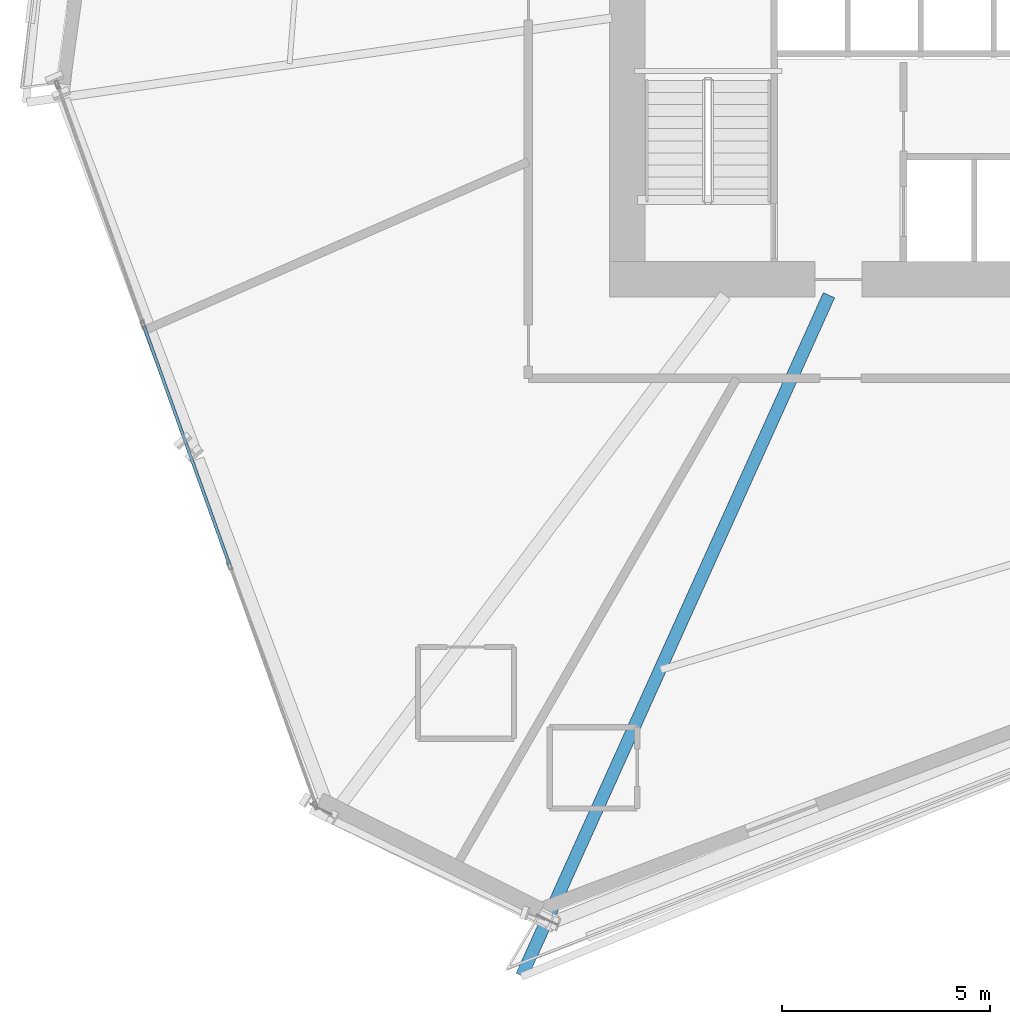
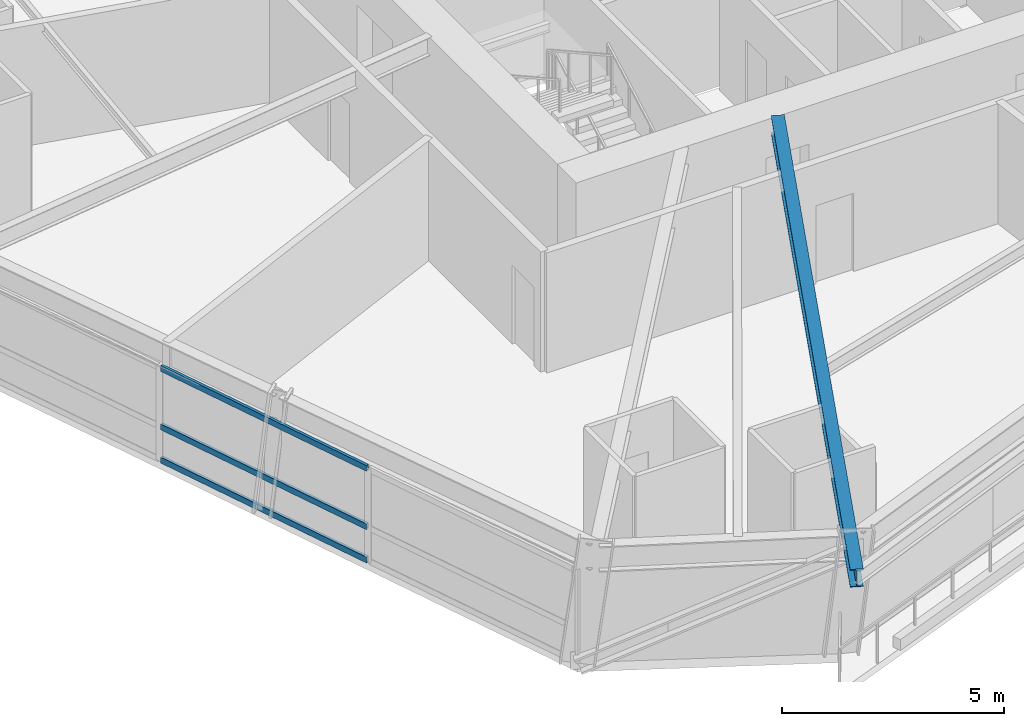
# One storey, part 3 of 24: 3 members, 1 beam, 1 element without a shape of its own.
"""IFC4 building model written with IfcOpenShell, lengths in metres."""

from ifc_helpers import new_model, si_unit, direction, frame, origin, origin_2d, place, context, subcontext, project, spatial, hollow_rectangle, i_section, extrude, source, transform, mapped, material, material_profile, profile_set, type_object, element, aggregate, save


model = new_model("IFC4")

# Units and contexts
model_context = context("Model", 3, precision=1e-05, world=origin(), true_north=direction((0.0, 1.0)))
body_context = subcontext(model_context, "Body", "Model", "MODEL_VIEW")
ifc_project = project(units=[si_unit("LENGTHUNIT", "METRE"), si_unit("AREAUNIT", "SQUARE_METRE"), si_unit("VOLUMEUNIT", "CUBIC_METRE"), si_unit("PLANEANGLEUNIT", "RADIAN"), si_unit("MASSUNIT", "GRAM", prefix="KILO")], contexts=[model_context])

# Site, building, storey
site_placement = place(None, origin())
site = spatial("IfcSite", under=ifc_project, at=site_placement, CompositionType="ELEMENT")
building_placement = place(site_placement, origin())
building = spatial("IfcBuilding", under=site, at=building_placement, Name="Olszyna Solenne Hotel", CompositionType="ELEMENT")
storey_placement = place(building_placement, frame((0.0, 0.0, 64.800048828125)))
storey = spatial("IfcBuildingStorey", under=building, at=storey_placement, Name="L16", CompositionType="ELEMENT", Elevation=64.800048828125)

# Beam
ifc_material_1 = material(Name="Steel S355J2", Category="steel")
ifc_material_profile_1 = material_profile(ifc_material_1, i_section(OverallWidth=0.300048828125, OverallDepth=0.489990234375, WebThickness=0.011962890625, FlangeThickness=0.02294921875, at=origin_2d()), Name="HEA 500", Category="load-bearing")
ifc_profile_set_1 = profile_set([ifc_material_profile_1], Name="Steel S355J2")
beam_type = type_object("IfcBeamType", Name="BM-G1", PredefinedType="BEAM", material=ifc_profile_set_1)
shared_shape_1 = source(origin(), body_context, "Body", "SweptSolid", [
    extrude(i_section(OverallWidth=0.300048828125, OverallDepth=0.489990234375, WebThickness=0.011962890625, FlangeThickness=0.02294921875, at=origin_2d()), origin(), (0.0, 0.0, 1.0), 17.91796875),
])
beam_placement = place(storey_placement, frame((27.141845703125, 2.364501953125, 3.054931640625), z_axis=(0.411419877608, 0.911445930546, 0.0), x_axis=(-0.911445930546, 0.411419877608, 0.0)))
element("IfcBeam", 1, at=beam_placement, inside=storey, type_object=beam_type, Name="Radial floor girder BM-G1 B-L16-0514", PredefinedType="BEAM", context=body_context, shape_type="MappedRepresentation", body=[
    mapped(shared_shape_1, transform((0.0, 0.0, 0.0), x_axis=(1.0, 0.0, 0.0), y_axis=(0.0, 1.0, 0.0), z_axis=(0.0, 0.0, 1.0), scale=1.0)),
])

# Curtain wall, members
ifc_material_2 = material(Name="Anodised bronze aluminium", Category="aluminium")
curtain_wall_type = type_object("IfcCurtainWallType", Name="CW-SYS-2", PredefinedType="NOTDEFINED", material=ifc_material_2)
curtain_wall_placement = place(storey_placement, origin())
curtain_wall = element("IfcCurtainWall", 2, at=curtain_wall_placement, inside=storey, type_object=curtain_wall_type, Name="Unitised curtain wall CW-SYS-2 CW-L16-01", PredefinedType="NOTDEFINED")
ifc_material_profile_2 = material_profile(ifc_material_2, hollow_rectangle(XDim=0.074951171875, YDim=0.159912109375, WallThickness=0.00390625, at=origin_2d()), Name="TRAN 160x75x4", Category="load-bearing")
ifc_profile_set_2 = profile_set([ifc_material_profile_2], Name="Anodised bronze aluminium")
member_type = type_object("IfcMemberType", Name="CW-T1", PredefinedType="USERDEFINED", material=ifc_profile_set_2)
shared_shape_2 = source(origin(), body_context, "Body", "SweptSolid", [
    extrude(hollow_rectangle(XDim=0.074951171875, YDim=0.159912109375, WallThickness=0.00390625, at=origin_2d()), origin(), (0.0, 0.0, 1.0), 6.076904296875),
])
member_1_placement = place(storey_placement, frame((18.072509765625, 17.95703125, 0.037353515625), z_axis=(0.337588242368, -0.941293885359, 0.0), x_axis=(0.941293885359, 0.337588242368, 0.0)))
member_1 = element("IfcMember", 3, at=member_1_placement, type_object=member_type, Name="Curtain-wall transom CW-T1 CT-L16-01-04", ObjectType="TRANSOM", PredefinedType="USERDEFINED", context=body_context, shape_type="MappedRepresentation", body=[
    mapped(shared_shape_2, transform((0.0, 0.0, 0.0), x_axis=(1.0, 0.0, 0.0), y_axis=(0.0, 1.0, 0.0), z_axis=(0.0, 0.0, 1.0), scale=1.0)),
])
member_2_placement = place(storey_placement, frame((18.072509765625, 17.95703125, 0.949951171875), z_axis=(0.337588242368, -0.941293885359, 0.0), x_axis=(0.941293885359, 0.337588242368, 0.0)))
member_2 = element("IfcMember", 4, at=member_2_placement, type_object=member_type, Name="Curtain-wall transom CW-T1 CT-L16-01-05", ObjectType="TRANSOM", PredefinedType="USERDEFINED", context=body_context, shape_type="MappedRepresentation", body=[
    mapped(shared_shape_2, transform((0.0, 0.0, 0.0), x_axis=(1.0, 0.0, 0.0), y_axis=(0.0, 1.0, 0.0), z_axis=(0.0, 0.0, 1.0), scale=1.0)),
])
member_3_placement = place(storey_placement, frame((18.072509765625, 17.95703125, 2.554443359375), z_axis=(0.337588242368, -0.941293885359, 0.0), x_axis=(0.941293885359, 0.337588242368, 0.0)))
member_3 = element("IfcMember", 5, at=member_3_placement, type_object=member_type, Name="Curtain-wall transom CW-T1 CT-L16-01-06", ObjectType="TRANSOM", PredefinedType="USERDEFINED", context=body_context, shape_type="MappedRepresentation", body=[
    mapped(shared_shape_2, transform((0.0, 0.0, 0.0), x_axis=(1.0, 0.0, 0.0), y_axis=(0.0, 1.0, 0.0), z_axis=(0.0, 0.0, 1.0), scale=1.0)),
])
aggregate(curtain_wall, [member_1, member_2, member_3])

save(model, "model.ifc")
